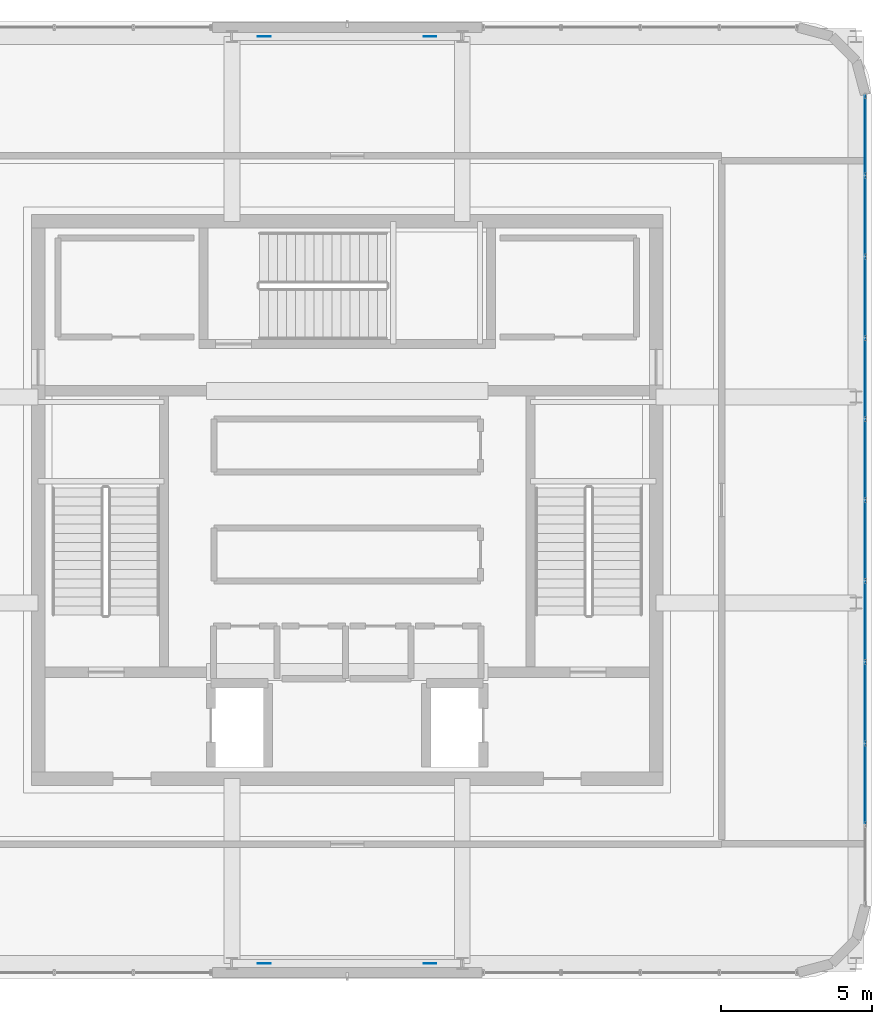
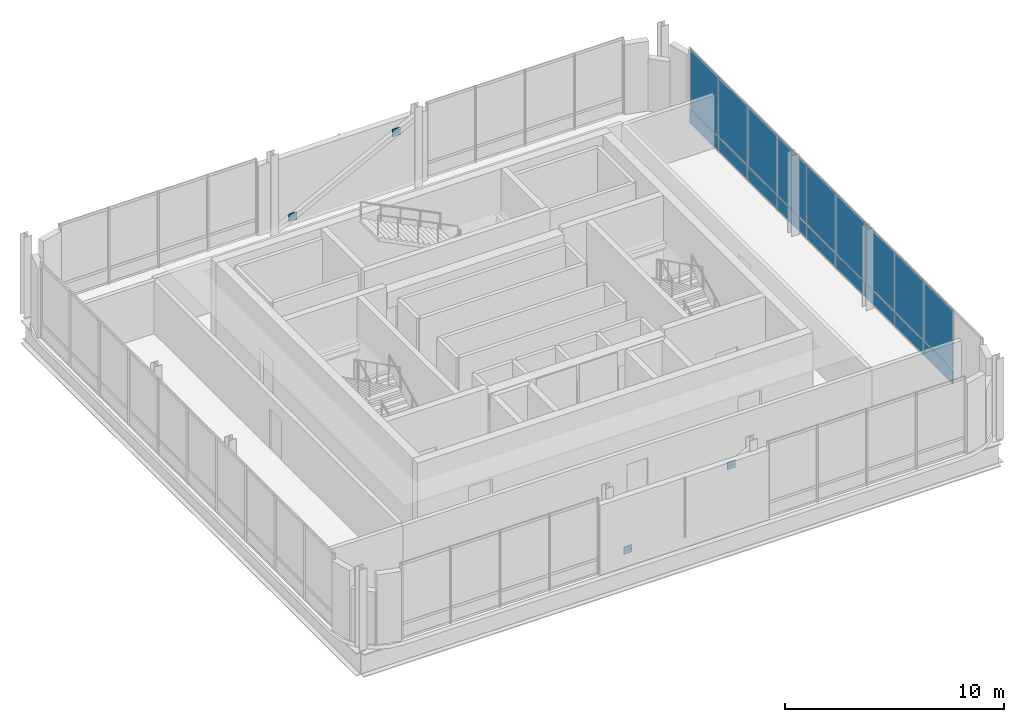
# One storey, part 19 of 25: 22 plates, 1 element without a shape of its own.
"""IFC4 building model written with IfcOpenShell, lengths in metres."""

from ifc_helpers import new_model, si_unit, direction, frame, origin, origin_2d, place, context, subcontext, project, spatial, rectangle, extrude, material, layer, layer_set, type_object, element, aggregate, save


model = new_model("IFC4")

# Units and contexts
model_context = context("Model", 3, precision=1e-05, world=origin(), true_north=direction((0.0, 1.0)))
body_context = subcontext(model_context, "Body", "Model", "MODEL_VIEW")
ifc_project = project(units=[si_unit("LENGTHUNIT", "METRE"), si_unit("AREAUNIT", "SQUARE_METRE"), si_unit("VOLUMEUNIT", "CUBIC_METRE"), si_unit("PLANEANGLEUNIT", "RADIAN"), si_unit("MASSUNIT", "GRAM", prefix="KILO")], contexts=[model_context])

# Site, building, storey
site_placement = place(None, origin())
site = spatial("IfcSite", under=ifc_project, at=site_placement, CompositionType="ELEMENT")
building_placement = place(site_placement, origin())
building = spatial("IfcBuilding", under=site, at=building_placement, Name="Punatoya Terracotta Tower", CompositionType="ELEMENT")
storey_placement = place(building_placement, frame((0.0, 0.0, 357.300048828125)))
storey = spatial("IfcBuildingStorey", under=building, at=storey_placement, Name="L84", CompositionType="ELEMENT", Elevation=357.300048828125)

# Plates
ifc_material_1 = material(Name="Steel S460", Category="steel")
ifc_layer_1 = layer(ifc_material_1, 0.031982421875)
ifc_layer_set_1 = layer_set([ifc_layer_1], Name="Steel S460")
plate_type_1 = type_object("IfcPlateType", Name="PLT-END-32", PredefinedType="USERDEFINED", material=ifc_layer_set_1)
for number, where, z_axis, x_axis, name in (
    (1, (-2.736083984375, -15.300048828125, 0.35595703125), (0.0, 0.0, 1.0), (1.0, 0.0, 0.0), "L84 Crown Brace S End Plate 1"),
    (2, (2.736083984375, -15.300048828125, 3.1640625), (0.0, 0.0, 1.0), (1.0, 0.0, 0.0), "L84 Crown Brace S End Plate 2"),
    (3, (-2.736083984375, 15.300048828125, 0.35595703125), (0.0, 0.0, 1.0), (1.0, 0.0, 0.0), "L84 Crown Brace N End Plate 1"),
    (4, (2.736083984375, 15.300048828125, 3.1640625), (0.0, 0.0, 1.0), (1.0, 0.0, 0.0), "L84 Crown Brace N End Plate 2"),
):
    element("IfcPlate", number, at=place(storey_placement, frame(where, z_axis=z_axis, x_axis=x_axis)), inside=storey, type_object=plate_type_1, Name=name, ObjectType="FLANGE_PLATE", PredefinedType="USERDEFINED", context=body_context, shape_type="SweptSolid", body=[
        extrude(rectangle(XDim=0.419921875, YDim=0.031982421875, at=origin_2d()), origin(), (0.0, 0.0, 1.0), 0.419921875),
    ])

# Curtain wall, plates
ifc_material_2 = material(Name="Aluminium 6063-T6 + Double Low-E Glass", Category="aluminium")
curtain_wall_type = type_object("IfcCurtainWallType", Name="CW-CRN", PredefinedType="NOTDEFINED", material=ifc_material_2)
curtain_wall_placement = place(storey_placement, origin())
curtain_wall = element("IfcCurtainWall", 5, at=curtain_wall_placement, inside=storey, type_object=curtain_wall_type, Name="L84 Curtain Wall CW-L84-E05-1", PredefinedType="NOTDEFINED")
ifc_material_3 = material(Name="Double Low-E Acoustic Vision Glass", Category="glass")
ifc_layer_2 = layer(ifc_material_3, 0.031982421875)
ifc_layer_set_2 = layer_set([ifc_layer_2], Name="Double Low-E Acoustic Vision Glass")
plate_type_2 = type_object("IfcPlateType", Name="PLT-GLZ-32", PredefinedType="CURTAIN_PANEL", material=ifc_layer_set_2)
plate_1_placement = place(storey_placement, frame((17.10009765625, -9.370849609375, 0.889892578125), z_axis=(0.0, 0.0, 1.0), x_axis=(0.0, 1.0, 0.0)))
plate_1 = element("IfcPlate", 6, at=plate_1_placement, type_object=plate_type_2, Name="CW-L84-E05-1 Vision Glass Panel 2", PredefinedType="CURTAIN_PANEL", context=body_context, shape_type="SweptSolid", body=[
    extrude(rectangle(XDim=2.59228515625, YDim=0.031982421875, at=origin_2d()), origin(), (0.0, 0.0, 1.0), 3.2900390625),
])
plate_2_placement = place(storey_placement, frame((17.10009765625, -6.693359375, 0.889892578125), z_axis=(0.0, 0.0, 1.0), x_axis=(0.0, 1.0, 0.0)))
plate_2 = element("IfcPlate", 7, at=plate_2_placement, type_object=plate_type_2, Name="CW-L84-E05-1 Vision Glass Panel 3", PredefinedType="CURTAIN_PANEL", context=body_context, shape_type="SweptSolid", body=[
    extrude(rectangle(XDim=2.59228515625, YDim=0.031982421875, at=origin_2d()), origin(), (0.0, 0.0, 1.0), 3.2900390625),
])
plate_3_placement = place(storey_placement, frame((17.10009765625, -4.01611328125, 0.889892578125), z_axis=(0.0, 0.0, 1.0), x_axis=(0.0, 1.0, 0.0)))
plate_3 = element("IfcPlate", 8, at=plate_3_placement, type_object=plate_type_2, Name="CW-L84-E05-1 Vision Glass Panel 4", PredefinedType="CURTAIN_PANEL", context=body_context, shape_type="SweptSolid", body=[
    extrude(rectangle(XDim=2.59228515625, YDim=0.031982421875, at=origin_2d()), origin(), (0.0, 0.0, 1.0), 3.2900390625),
])
plate_4_placement = place(storey_placement, frame((17.10009765625, -1.338623046875, 0.889892578125), z_axis=(0.0, 0.0, 1.0), x_axis=(0.0, 1.0, 0.0)))
plate_4 = element("IfcPlate", 9, at=plate_4_placement, type_object=plate_type_2, Name="CW-L84-E05-1 Vision Glass Panel 5", PredefinedType="CURTAIN_PANEL", context=body_context, shape_type="SweptSolid", body=[
    extrude(rectangle(XDim=2.59228515625, YDim=0.031982421875, at=origin_2d()), origin(), (0.0, 0.0, 1.0), 3.2900390625),
])
plate_5_placement = place(storey_placement, frame((17.10009765625, 1.338623046875, 0.889892578125), z_axis=(0.0, 0.0, 1.0), x_axis=(0.0, 1.0, 0.0)))
plate_5 = element("IfcPlate", 10, at=plate_5_placement, type_object=plate_type_2, Name="CW-L84-E05-1 Vision Glass Panel 6", PredefinedType="CURTAIN_PANEL", context=body_context, shape_type="SweptSolid", body=[
    extrude(rectangle(XDim=2.59228515625, YDim=0.031982421875, at=origin_2d()), origin(), (0.0, 0.0, 1.0), 3.2900390625),
])
plate_6_placement = place(storey_placement, frame((17.10009765625, 4.01611328125, 0.889892578125), z_axis=(0.0, 0.0, 1.0), x_axis=(0.0, 1.0, 0.0)))
plate_6 = element("IfcPlate", 11, at=plate_6_placement, type_object=plate_type_2, Name="CW-L84-E05-1 Vision Glass Panel 7", PredefinedType="CURTAIN_PANEL", context=body_context, shape_type="SweptSolid", body=[
    extrude(rectangle(XDim=2.59228515625, YDim=0.031982421875, at=origin_2d()), origin(), (0.0, 0.0, 1.0), 3.2900390625),
])
plate_7_placement = place(storey_placement, frame((17.10009765625, 6.693359375, 0.889892578125), z_axis=(0.0, 0.0, 1.0), x_axis=(0.0, 1.0, 0.0)))
plate_7 = element("IfcPlate", 12, at=plate_7_placement, type_object=plate_type_2, Name="CW-L84-E05-1 Vision Glass Panel 8", PredefinedType="CURTAIN_PANEL", context=body_context, shape_type="SweptSolid", body=[
    extrude(rectangle(XDim=2.59228515625, YDim=0.031982421875, at=origin_2d()), origin(), (0.0, 0.0, 1.0), 3.2900390625),
])
plate_8_placement = place(storey_placement, frame((17.10009765625, 9.370849609375, 0.889892578125), z_axis=(0.0, 0.0, 1.0), x_axis=(0.0, 1.0, 0.0)))
plate_8 = element("IfcPlate", 13, at=plate_8_placement, type_object=plate_type_2, Name="CW-L84-E05-1 Vision Glass Panel 9", PredefinedType="CURTAIN_PANEL", context=body_context, shape_type="SweptSolid", body=[
    extrude(rectangle(XDim=2.59228515625, YDim=0.031982421875, at=origin_2d()), origin(), (0.0, 0.0, 1.0), 3.2900390625),
])
plate_9_placement = place(storey_placement, frame((17.10009765625, 12.048095703125, 0.889892578125), z_axis=(0.0, 0.0, 1.0), x_axis=(0.0, 1.0, 0.0)))
plate_9 = element("IfcPlate", 14, at=plate_9_placement, type_object=plate_type_2, Name="CW-L84-E05-1 Vision Glass Panel 10", PredefinedType="CURTAIN_PANEL", context=body_context, shape_type="SweptSolid", body=[
    extrude(rectangle(XDim=2.59228515625, YDim=0.031982421875, at=origin_2d()), origin(), (0.0, 0.0, 1.0), 3.2900390625),
])
ifc_material_4 = material(Name="Crown Insulated Terracotta Spandrel Panel", Category="masonry")
ifc_layer_3 = layer(ifc_material_4, 0.052001953125)
ifc_layer_set_3 = layer_set([ifc_layer_3], Name="Crown Insulated Terracotta Spandrel Panel")
plate_type_3 = type_object("IfcPlateType", Name="PLT-SPN-52", PredefinedType="CURTAIN_PANEL", material=ifc_layer_set_3)
plate_10_placement = place(storey_placement, frame((17.10009765625, -9.370849609375, 0.0400390625), z_axis=(0.0, 0.0, 1.0), x_axis=(0.0, 1.0, 0.0)))
plate_10 = element("IfcPlate", 15, at=plate_10_placement, type_object=plate_type_3, Name="CW-L84-E05-1 Terracotta Spandrel Panel 2", PredefinedType="CURTAIN_PANEL", context=body_context, shape_type="SweptSolid", body=[
    extrude(rectangle(XDim=2.59228515625, YDim=0.052001953125, at=origin_2d()), origin(), (0.0, 0.0, 1.0), 0.77490234375),
])
plate_11_placement = place(storey_placement, frame((17.10009765625, -6.693359375, 0.0400390625), z_axis=(0.0, 0.0, 1.0), x_axis=(0.0, 1.0, 0.0)))
plate_11 = element("IfcPlate", 16, at=plate_11_placement, type_object=plate_type_3, Name="CW-L84-E05-1 Terracotta Spandrel Panel 3", PredefinedType="CURTAIN_PANEL", context=body_context, shape_type="SweptSolid", body=[
    extrude(rectangle(XDim=2.59228515625, YDim=0.052001953125, at=origin_2d()), origin(), (0.0, 0.0, 1.0), 0.77490234375),
])
plate_12_placement = place(storey_placement, frame((17.10009765625, -4.01611328125, 0.0400390625), z_axis=(0.0, 0.0, 1.0), x_axis=(0.0, 1.0, 0.0)))
plate_12 = element("IfcPlate", 17, at=plate_12_placement, type_object=plate_type_3, Name="CW-L84-E05-1 Terracotta Spandrel Panel 4", PredefinedType="CURTAIN_PANEL", context=body_context, shape_type="SweptSolid", body=[
    extrude(rectangle(XDim=2.59228515625, YDim=0.052001953125, at=origin_2d()), origin(), (0.0, 0.0, 1.0), 0.77490234375),
])
plate_13_placement = place(storey_placement, frame((17.10009765625, -1.338623046875, 0.0400390625), z_axis=(0.0, 0.0, 1.0), x_axis=(0.0, 1.0, 0.0)))
plate_13 = element("IfcPlate", 18, at=plate_13_placement, type_object=plate_type_3, Name="CW-L84-E05-1 Terracotta Spandrel Panel 5", PredefinedType="CURTAIN_PANEL", context=body_context, shape_type="SweptSolid", body=[
    extrude(rectangle(XDim=2.59228515625, YDim=0.052001953125, at=origin_2d()), origin(), (0.0, 0.0, 1.0), 0.77490234375),
])
plate_14_placement = place(storey_placement, frame((17.10009765625, 1.338623046875, 0.0400390625), z_axis=(0.0, 0.0, 1.0), x_axis=(0.0, 1.0, 0.0)))
plate_14 = element("IfcPlate", 19, at=plate_14_placement, type_object=plate_type_3, Name="CW-L84-E05-1 Terracotta Spandrel Panel 6", PredefinedType="CURTAIN_PANEL", context=body_context, shape_type="SweptSolid", body=[
    extrude(rectangle(XDim=2.59228515625, YDim=0.052001953125, at=origin_2d()), origin(), (0.0, 0.0, 1.0), 0.77490234375),
])
plate_15_placement = place(storey_placement, frame((17.10009765625, 4.01611328125, 0.0400390625), z_axis=(0.0, 0.0, 1.0), x_axis=(0.0, 1.0, 0.0)))
plate_15 = element("IfcPlate", 20, at=plate_15_placement, type_object=plate_type_3, Name="CW-L84-E05-1 Terracotta Spandrel Panel 7", PredefinedType="CURTAIN_PANEL", context=body_context, shape_type="SweptSolid", body=[
    extrude(rectangle(XDim=2.59228515625, YDim=0.052001953125, at=origin_2d()), origin(), (0.0, 0.0, 1.0), 0.77490234375),
])
plate_16_placement = place(storey_placement, frame((17.10009765625, 6.693359375, 0.0400390625), z_axis=(0.0, 0.0, 1.0), x_axis=(0.0, 1.0, 0.0)))
plate_16 = element("IfcPlate", 21, at=plate_16_placement, type_object=plate_type_3, Name="CW-L84-E05-1 Terracotta Spandrel Panel 8", PredefinedType="CURTAIN_PANEL", context=body_context, shape_type="SweptSolid", body=[
    extrude(rectangle(XDim=2.59228515625, YDim=0.052001953125, at=origin_2d()), origin(), (0.0, 0.0, 1.0), 0.77490234375),
])
plate_17_placement = place(storey_placement, frame((17.10009765625, 9.370849609375, 0.0400390625), z_axis=(0.0, 0.0, 1.0), x_axis=(0.0, 1.0, 0.0)))
plate_17 = element("IfcPlate", 22, at=plate_17_placement, type_object=plate_type_3, Name="CW-L84-E05-1 Terracotta Spandrel Panel 9", PredefinedType="CURTAIN_PANEL", context=body_context, shape_type="SweptSolid", body=[
    extrude(rectangle(XDim=2.59228515625, YDim=0.052001953125, at=origin_2d()), origin(), (0.0, 0.0, 1.0), 0.77490234375),
])
plate_18_placement = place(storey_placement, frame((17.10009765625, 12.048095703125, 0.0400390625), z_axis=(0.0, 0.0, 1.0), x_axis=(0.0, 1.0, 0.0)))
plate_18 = element("IfcPlate", 23, at=plate_18_placement, type_object=plate_type_3, Name="CW-L84-E05-1 Terracotta Spandrel Panel 10", PredefinedType="CURTAIN_PANEL", context=body_context, shape_type="SweptSolid", body=[
    extrude(rectangle(XDim=2.59228515625, YDim=0.052001953125, at=origin_2d()), origin(), (0.0, 0.0, 1.0), 0.77490234375),
])
aggregate(curtain_wall, [plate_10, plate_1, plate_11, plate_2, plate_12, plate_3, plate_13, plate_4, plate_14, plate_5, plate_15, plate_6, plate_16, plate_7, plate_17, plate_8, plate_18, plate_9])

save(model, "model.ifc")
